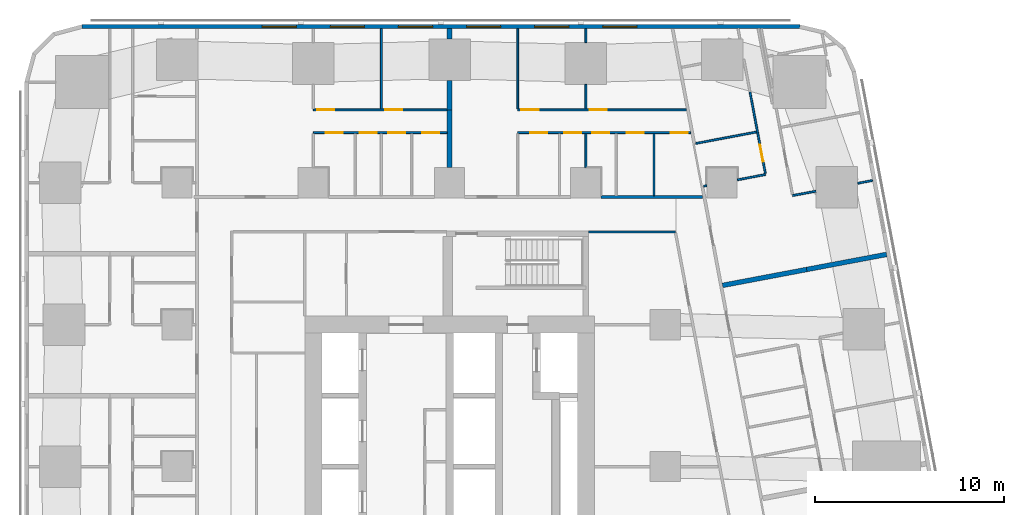
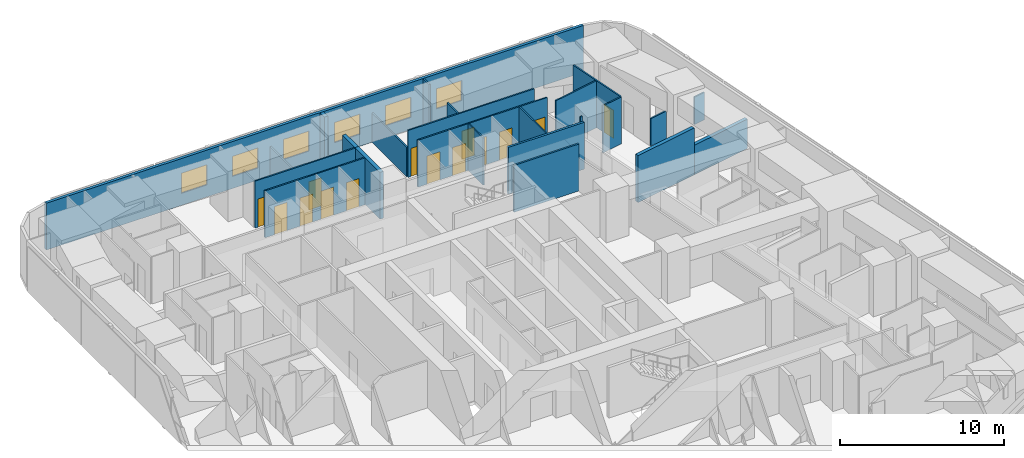
# One storey, part 9 of 15: 24 walls, 14 doors, 6 windows, 20 openings.
"""IFC4 building model written with IfcOpenShell, lengths in metres."""

from ifc_helpers import new_model, si_unit, direction, frame, frame_2d, origin, place, context, subcontext, project, spatial, rectangle, extrude, material, layer, layer_set, type_object, element, fill, save


model = new_model("IFC4")

# Units and contexts
model_context = context("Model", 3, precision=1e-05, world=origin(), true_north=direction((0.0, 1.0)))
body_context = subcontext(model_context, "Body", "Model", "MODEL_VIEW")
ifc_project = project(units=[si_unit("LENGTHUNIT", "METRE"), si_unit("AREAUNIT", "SQUARE_METRE"), si_unit("VOLUMEUNIT", "CUBIC_METRE"), si_unit("PLANEANGLEUNIT", "RADIAN"), si_unit("MASSUNIT", "GRAM", prefix="KILO")], contexts=[model_context])

# Site, building, storey
site_placement = place(None, origin())
site = spatial("IfcSite", under=ifc_project, at=site_placement, CompositionType="ELEMENT")
building_placement = place(site_placement, origin())
building = spatial("IfcBuilding", under=site, at=building_placement, Name="Sheger Commons Tower", CompositionType="ELEMENT")
storey_placement = place(building_placement, frame((0.0, 0.0, 107.89990234375)))
storey = spatial("IfcBuildingStorey", under=building, at=storey_placement, Name="L27", CompositionType="ELEMENT", Elevation=107.89990234375)

# Walls
ifc_material_1 = material(Name="Hollow concrete block masonry, skimmed both sides", Category="masonry")
ifc_layer_1 = layer(ifc_material_1, 0.14990234375)
ifc_layer_set_1 = layer_set([ifc_layer_1], Name="CORRIDOR WALL 150")
wall_type_1 = type_object("IfcWallType", Name="CORRIDOR WALL 150", PredefinedType="SOLIDWALL", material=ifc_layer_set_1)
wall_1_placement = place(storey_placement, frame((29.60107421875, 36.75, 0.0), z_axis=(0.0, 0.0, 1.0), x_axis=(1.0, 0.0, 0.0)))
element("IfcWall", 1, at=wall_1_placement, inside=storey, type_object=wall_type_1, Name="Corridor wall L27", PredefinedType="SOLIDWALL", context=body_context, shape_type="SweptSolid", body=[
    extrude(rectangle(XDim=5.371826171875, YDim=0.14990234375, at=frame_2d((2.68603515625, 0.0))), origin(), (0.0, 0.0, 1.0), 3.5),
])
ifc_material_2 = material(Name="Dense concrete block masonry, plastered both sides (separating wall between flats)", Category="masonry")
ifc_layer_2 = layer(ifc_material_2, 0.25)
ifc_layer_set_2 = layer_set([ifc_layer_2], Name="DEMISING WALL 250")
wall_type_2 = type_object("IfcWallType", Name="DEMISING WALL 250", PredefinedType="SOLIDWALL", material=ifc_layer_set_2)
wall_2_placement = place(storey_placement, frame((44.693115234375, 33.712890625, 0.0), z_axis=(0.0, 0.0, 1.0), x_axis=(-0.982633535512, -0.185556823879, 0.0)))
element("IfcWall", 2, at=wall_2_placement, inside=storey, type_object=wall_type_2, Name="Demising wall L27", PredefinedType="SOLIDWALL", context=body_context, shape_type="SweptSolid", body=[
    extrude(rectangle(XDim=4.2998046875, YDim=0.25, at=frame_2d((2.14990234375, 0.0))), origin(), (0.0, 0.0, 1.0), 2.2001953125),
])
wall_3_placement = place(storey_placement, frame((40.468017578125, 32.9150390625, 0.0), z_axis=(0.0, 0.0, 1.0), x_axis=(-0.982612837616, -0.185666398014, 0.0)))
element("IfcWall", 3, at=wall_3_placement, inside=storey, type_object=wall_type_2, Name="Demising wall L27", PredefinedType="SOLIDWALL", context=body_context, shape_type="SweptSolid", body=[
    extrude(rectangle(XDim=4.524658203125, YDim=0.25, at=frame_2d((2.26220703125, 0.0))), origin(), (0.0, 0.0, 1.0), 3.5),
])
wall_4_placement = place(storey_placement, frame((21.60009765625, 41.35009765625, 0.0), z_axis=(0.0, 0.0, 1.0), x_axis=(0.0, 1.0, 0.0)))
element("IfcWall", 4, at=wall_4_placement, inside=storey, type_object=wall_type_2, Name="Demising wall L27", PredefinedType="SOLIDWALL", context=body_context, shape_type="SweptSolid", body=[
    extrude(rectangle(XDim=1.548828125, YDim=0.25, at=frame_2d((0.7744140625, 0.0))), origin(), (0.0, 0.0, 1.0), 3.5),
])
wall_5_placement = place(storey_placement, frame((21.60009765625, 45.10107421875, 0.0), z_axis=(0.0, 0.0, 1.0), x_axis=(0.0, 1.0, 0.0)))
element("IfcWall", 5, at=wall_5_placement, inside=storey, type_object=wall_type_2, Name="Demising wall L27", PredefinedType="SOLIDWALL", context=body_context, shape_type="SweptSolid", body=[
    extrude(rectangle(XDim=0.548828125, YDim=0.25, at=frame_2d((0.2744140625, 0.0))), origin(), (0.0, 0.0, 1.0), 3.5),
])
wall_6_placement = place(storey_placement, frame((21.60009765625, 38.301025390625, 0.0), z_axis=(0.0, 0.0, 1.0), x_axis=(0.0, 1.0, 0.0)))
element("IfcWall", 6, at=wall_6_placement, inside=storey, type_object=wall_type_2, Name="Demising wall L27", PredefinedType="SOLIDWALL", context=body_context, shape_type="SweptSolid", body=[
    extrude(rectangle(XDim=3.049072265625, YDim=0.25, at=frame_2d((1.5244140625, 0.0))), origin(), (0.0, 0.0, 1.0), 3.5),
])

# Wall, openings, windows
ifc_material_3 = material(Name="Rendered concrete block masonry, dark grey", Category="masonry")
ifc_layer_3 = layer(ifc_material_3, 0.199951171875)
ifc_layer_set_3 = layer_set([ifc_layer_3], Name="FACADE WALL 200")
wall_type_3 = type_object("IfcWallType", Name="FACADE WALL 200", PredefinedType="SOLIDWALL", material=ifc_layer_set_3)
wall_7_placement = place(storey_placement, frame((40.10595703125, 45.75, 0.0), z_axis=(0.0, 0.0, 1.0), x_axis=(-1.0, 0.0, 0.0)))
wall_7 = element("IfcWall", 7, at=wall_7_placement, inside=storey, type_object=wall_type_3, Name="Facade wall L27", PredefinedType="SOLIDWALL", context=body_context, shape_type="SweptSolid", body=[
    extrude(rectangle(XDim=37.94287109375, YDim=0.199951171875, at=frame_2d((18.971435546875, 0.0))), origin(), (0.0, 0.0, 1.0), 3.5),
])
opening_1_placement = place(wall_7_placement, frame((8.60595703125, 0.0, 0.89990234375)))
opening_1 = element("IfcOpeningElement", 8, at=opening_1_placement, cuts=wall_7, Name="Opening W2", PredefinedType="OPENING", context=body_context, shape_type="SweptSolid", body=[
    extrude(rectangle(XDim=1.800048828125, YDim=1.5, at=frame_2d((0.89990234375, 0.75))), frame((0.0, 0.10986328125, 0.0), z_axis=(0.0, -1.0, 0.0), x_axis=(1.0, 0.0, 0.0)), (0.0, 0.0, 1.0), 0.219970703125),
])
opening_2_placement = place(wall_7_placement, frame((12.2060546875, 0.0, 0.89990234375)))
opening_2 = element("IfcOpeningElement", 9, at=opening_2_placement, cuts=wall_7, Name="Opening W2", PredefinedType="OPENING", context=body_context, shape_type="SweptSolid", body=[
    extrude(rectangle(XDim=1.800048828125, YDim=1.5, at=frame_2d((0.89990234375, 0.75))), frame((0.0, 0.10986328125, 0.0), z_axis=(0.0, -1.0, 0.0), x_axis=(1.0, 0.0, 0.0)), (0.0, 0.0, 1.0), 0.219970703125),
])
opening_3_placement = place(wall_7_placement, frame((15.805908203125, 0.0, 0.89990234375)))
opening_3 = element("IfcOpeningElement", 10, at=opening_3_placement, cuts=wall_7, Name="Opening W2", PredefinedType="OPENING", context=body_context, shape_type="SweptSolid", body=[
    extrude(rectangle(XDim=1.800048828125, YDim=1.5, at=frame_2d((0.89990234375, 0.75))), frame((0.0, 0.10986328125, 0.0), z_axis=(0.0, -1.0, 0.0), x_axis=(1.0, 0.0, 0.0)), (0.0, 0.0, 1.0), 0.219970703125),
])
opening_4_placement = place(wall_7_placement, frame((19.406005859375, 0.0, 0.89990234375)))
opening_4 = element("IfcOpeningElement", 11, at=opening_4_placement, cuts=wall_7, Name="Opening W2", PredefinedType="OPENING", context=body_context, shape_type="SweptSolid", body=[
    extrude(rectangle(XDim=1.800048828125, YDim=1.5, at=frame_2d((0.89990234375, 0.75))), frame((0.0, 0.10986328125, 0.0), z_axis=(0.0, -1.0, 0.0), x_axis=(1.0, 0.0, 0.0)), (0.0, 0.0, 1.0), 0.219970703125),
])
opening_5_placement = place(wall_7_placement, frame((23.006103515625, 0.0, 0.89990234375)))
opening_5 = element("IfcOpeningElement", 12, at=opening_5_placement, cuts=wall_7, Name="Opening W2", PredefinedType="OPENING", context=body_context, shape_type="SweptSolid", body=[
    extrude(rectangle(XDim=1.800048828125, YDim=1.5, at=frame_2d((0.89990234375, 0.75))), frame((0.0, 0.10986328125, 0.0), z_axis=(0.0, -1.0, 0.0), x_axis=(1.0, 0.0, 0.0)), (0.0, 0.0, 1.0), 0.219970703125),
])
opening_6_placement = place(wall_7_placement, frame((26.60595703125, 0.0, 0.89990234375)))
opening_6 = element("IfcOpeningElement", 13, at=opening_6_placement, cuts=wall_7, Name="Opening W2", PredefinedType="OPENING", context=body_context, shape_type="SweptSolid", body=[
    extrude(rectangle(XDim=1.800048828125, YDim=1.5, at=frame_2d((0.89990234375, 0.75))), frame((0.0, 0.10986328125, 0.0), z_axis=(0.0, -1.0, 0.0), x_axis=(1.0, 0.0, 0.0)), (0.0, 0.0, 1.0), 0.219970703125),
])
ifc_material_4 = material(Name="Black aluminium frame, dark tinted double glazing", Category="aluminium")
window_type = type_object("IfcWindowType", Name="WINDOW W2 1800x1500", PartitioningType="SINGLE_PANEL", PredefinedType="WINDOW", material=ifc_material_4)
window_1_placement = place(opening_1_placement, origin())
window_1 = element("IfcWindow", 14, at=window_1_placement, inside=storey, type_object=window_type, Name="Window W2 1800X1500", OverallHeight=1.5, OverallWidth=1.800048828125, PartitioningType="SINGLE_PANEL", PredefinedType="WINDOW", context=body_context, shape_type="SweptSolid", body=[
    extrude(rectangle(XDim=1.800048828125, YDim=1.5, at=frame_2d((0.89990234375, 0.75))), frame((0.0, 0.030029296875, 0.0), z_axis=(0.0, -1.0, 0.0), x_axis=(1.0, 0.0, 0.0)), (0.0, 0.0, 1.0), 0.06005859375),
])
fill(opening_1, window_1)
window_2_placement = place(opening_2_placement, origin())
window_2 = element("IfcWindow", 15, at=window_2_placement, inside=storey, type_object=window_type, Name="Window W2 1800X1500", OverallHeight=1.5, OverallWidth=1.800048828125, PartitioningType="SINGLE_PANEL", PredefinedType="WINDOW", context=body_context, shape_type="SweptSolid", body=[
    extrude(rectangle(XDim=1.800048828125, YDim=1.5, at=frame_2d((0.89990234375, 0.75))), frame((0.0, 0.030029296875, 0.0), z_axis=(0.0, -1.0, 0.0), x_axis=(1.0, 0.0, 0.0)), (0.0, 0.0, 1.0), 0.06005859375),
])
fill(opening_2, window_2)
window_3_placement = place(opening_3_placement, origin())
window_3 = element("IfcWindow", 16, at=window_3_placement, inside=storey, type_object=window_type, Name="Window W2 1800X1500", OverallHeight=1.5, OverallWidth=1.800048828125, PartitioningType="SINGLE_PANEL", PredefinedType="WINDOW", context=body_context, shape_type="SweptSolid", body=[
    extrude(rectangle(XDim=1.800048828125, YDim=1.5, at=frame_2d((0.89990234375, 0.75))), frame((0.0, 0.030029296875, 0.0), z_axis=(0.0, -1.0, 0.0), x_axis=(1.0, 0.0, 0.0)), (0.0, 0.0, 1.0), 0.06005859375),
])
fill(opening_3, window_3)
window_4_placement = place(opening_4_placement, origin())
window_4 = element("IfcWindow", 17, at=window_4_placement, inside=storey, type_object=window_type, Name="Window W2 1800X1500", OverallHeight=1.5, OverallWidth=1.800048828125, PartitioningType="SINGLE_PANEL", PredefinedType="WINDOW", context=body_context, shape_type="SweptSolid", body=[
    extrude(rectangle(XDim=1.800048828125, YDim=1.5, at=frame_2d((0.89990234375, 0.75))), frame((0.0, 0.030029296875, 0.0), z_axis=(0.0, -1.0, 0.0), x_axis=(1.0, 0.0, 0.0)), (0.0, 0.0, 1.0), 0.06005859375),
])
fill(opening_4, window_4)
window_5_placement = place(opening_5_placement, origin())
window_5 = element("IfcWindow", 18, at=window_5_placement, inside=storey, type_object=window_type, Name="Window W2 1800X1500", OverallHeight=1.5, OverallWidth=1.800048828125, PartitioningType="SINGLE_PANEL", PredefinedType="WINDOW", context=body_context, shape_type="SweptSolid", body=[
    extrude(rectangle(XDim=1.800048828125, YDim=1.5, at=frame_2d((0.89990234375, 0.75))), frame((0.0, 0.030029296875, 0.0), z_axis=(0.0, -1.0, 0.0), x_axis=(1.0, 0.0, 0.0)), (0.0, 0.0, 1.0), 0.06005859375),
])
fill(opening_5, window_5)
window_6_placement = place(opening_6_placement, origin())
window_6 = element("IfcWindow", 19, at=window_6_placement, inside=storey, type_object=window_type, Name="Window W2 1800X1500", OverallHeight=1.5, OverallWidth=1.800048828125, PartitioningType="SINGLE_PANEL", PredefinedType="WINDOW", context=body_context, shape_type="SweptSolid", body=[
    extrude(rectangle(XDim=1.800048828125, YDim=1.5, at=frame_2d((0.89990234375, 0.75))), frame((0.0, 0.030029296875, 0.0), z_axis=(0.0, -1.0, 0.0), x_axis=(1.0, 0.0, 0.0)), (0.0, 0.0, 1.0), 0.06005859375),
])
fill(opening_6, window_6)

# Wall, opening, door
ifc_material_5 = material(Name="Gypsum board on steel studs", Category="steel")
ifc_layer_4 = layer(ifc_material_5, 0.10009765625)
ifc_layer_set_4 = layer_set([ifc_layer_4], Name="PARTITION 100")
wall_type_4 = type_object("IfcWallType", Name="PARTITION 100", PredefinedType="PARTITIONING", material=ifc_layer_set_4)
wall_8_placement = place(storey_placement, frame((37.471923828125, 42.30908203125, 0.0), z_axis=(0.0, 0.0, 1.0), x_axis=(0.185641287362, -0.982617581985, 0.0)))
wall_8 = element("IfcWall", 20, at=wall_8_placement, inside=storey, type_object=wall_type_4, Name="Partition L27", PredefinedType="PARTITIONING", context=body_context, shape_type="SweptSolid", body=[
    extrude(rectangle(XDim=4.401611328125, YDim=0.10009765625, at=frame_2d((2.20068359375, 0.0))), origin(), (0.0, 0.0, 1.0), 3.5),
])
opening_7_placement = place(wall_8_placement, frame((2.85400390625, 0.0, 0.0)))
opening_7 = element("IfcOpeningElement", 21, at=opening_7_placement, cuts=wall_8, Name="Opening D2", PredefinedType="OPENING", context=body_context, shape_type="SweptSolid", body=[
    extrude(rectangle(XDim=0.89990234375, YDim=2.10009765625, at=frame_2d((0.449951171875, 1.050048828125))), frame((0.0, 0.06005859375, 0.0), z_axis=(0.0, -1.0, 0.0), x_axis=(1.0, 0.0, 0.0)), (0.0, 0.0, 1.0), 0.1201171875),
])
ifc_material_6 = material(Name="Timber door set", Category="wood")
door_type = type_object("IfcDoorType", Name="INTERNAL DOOR 900x2100", OperationType="NOTDEFINED", PredefinedType="DOOR", material=ifc_material_6)
door_1_placement = place(opening_7_placement, origin())
door_1 = element("IfcDoor", 22, at=door_1_placement, inside=storey, type_object=door_type, Name="Bathroom door", OperationType="SINGLE_SWING_LEFT", OverallHeight=2.10009765625, OverallWidth=0.89990234375, PredefinedType="DOOR", context=body_context, shape_type="SweptSolid", body=[
    extrude(rectangle(XDim=0.89990234375, YDim=2.10009765625, at=frame_2d((0.449951171875, 1.050048828125))), frame((0.0, 0.02490234375, 0.0), z_axis=(0.0, -1.0, 0.0), x_axis=(1.0, 0.0, 0.0)), (0.0, 0.0, 1.0), 0.050048828125),
])
fill(opening_7, door_1)

# Walls
wall_9_placement = place(storey_placement, frame((43.955078125, 37.6201171875, 0.0), z_axis=(0.0, 0.0, 1.0), x_axis=(-0.98247004097, -0.186420542316, 0.0)))
element("IfcWall", 23, at=wall_9_placement, inside=storey, type_object=wall_type_4, Name="Partition L27", PredefinedType="PARTITIONING", context=body_context, shape_type="SweptSolid", body=[
    extrude(rectangle(XDim=0.794921875, YDim=0.10009765625, at=frame_2d((0.3974609375, 0.0))), origin(), (0.0, 0.0, 1.0), 2.050048828125),
])
wall_10_placement = place(storey_placement, frame((40.9541015625, 37.052978515625, 0.0), z_axis=(0.0, 0.0, 1.0), x_axis=(-0.982663001154, -0.185400717808, 0.0)))
element("IfcWall", 24, at=wall_10_placement, inside=storey, type_object=wall_type_4, Name="Partition L27", PredefinedType="PARTITIONING", context=body_context, shape_type="SweptSolid", body=[
    extrude(rectangle(XDim=1.24560546875, YDim=0.10009765625, at=frame_2d((0.622802734375, 0.0))), origin(), (0.0, 0.0, 1.0), 2.050048828125),
])
wall_11_placement = place(storey_placement, frame((37.822998046875, 40.181884765625, 0.0), z_axis=(0.0, 0.0, 1.0), x_axis=(-0.982664729897, -0.18539155487, 0.0)))
element("IfcWall", 25, at=wall_11_placement, inside=storey, type_object=wall_type_4, Name="Partition L27", PredefinedType="PARTITIONING", context=body_context, shape_type="SweptSolid", body=[
    extrude(rectangle(XDim=3.273681640625, YDim=0.10009765625, at=frame_2d((1.63671875, 0.0))), origin(), (0.0, 0.0, 1.0), 3.5),
])
wall_12_placement = place(storey_placement, frame((38.299072265625, 37.93505859375, 0.0), z_axis=(0.0, 0.0, 1.0), x_axis=(-0.982536828695, -0.186068213993, 0.0)))
element("IfcWall", 26, at=wall_12_placement, inside=storey, type_object=wall_type_4, Name="Partition L27", PredefinedType="PARTITIONING", context=body_context, shape_type="SweptSolid", body=[
    extrude(rectangle(XDim=1.515380859375, YDim=0.10009765625, at=frame_2d((0.7578125, 0.0))), origin(), (0.0, 0.0, 1.0), 3.5),
])
wall_13_placement = place(storey_placement, frame((35.18994140625, 37.346923828125, 0.0), z_axis=(0.0, 0.0, 1.0), x_axis=(-0.982404955251, -0.186763229514, 0.0)))
element("IfcWall", 27, at=wall_13_placement, inside=storey, type_object=wall_type_4, Name="Partition L27", PredefinedType="PARTITIONING", context=body_context, shape_type="SweptSolid", body=[
    extrude(rectangle(XDim=0.160888671875, YDim=0.10009765625, at=frame_2d((0.08056640625, 0.0))), origin(), (0.0, 0.0, 1.0), 3.5),
])

# Wall, openings, doors
wall_14_placement = place(storey_placement, frame((14.39990234375, 41.35009765625, 0.0), z_axis=(0.0, 0.0, 1.0), x_axis=(1.0, 0.0, 0.0)))
wall_14 = element("IfcWall", 28, at=wall_14_placement, inside=storey, type_object=wall_type_4, Name="Partition L27", PredefinedType="PARTITIONING", context=body_context, shape_type="SweptSolid", body=[
    extrude(rectangle(XDim=7.0751953125, YDim=0.10009765625, at=frame_2d((3.53759765625, 0.0))), origin(), (0.0, 0.0, 1.0), 3.5),
])
opening_8_placement = place(wall_14_placement, frame((0.199951171875, 0.0, 0.0)))
opening_8 = element("IfcOpeningElement", 29, at=opening_8_placement, cuts=wall_14, Name="Opening D2", PredefinedType="OPENING", context=body_context, shape_type="SweptSolid", body=[
    extrude(rectangle(XDim=0.89990234375, YDim=2.10009765625, at=frame_2d((0.449951171875, 1.050048828125))), frame((0.0, 0.06005859375, 0.0), z_axis=(0.0, -1.0, 0.0), x_axis=(1.0, 0.0, 0.0)), (0.0, 0.0, 1.0), 0.1201171875),
])
opening_9_placement = place(wall_14_placement, frame((3.800048828125, 0.0, 0.0)))
opening_9 = element("IfcOpeningElement", 30, at=opening_9_placement, cuts=wall_14, Name="Opening D2", PredefinedType="OPENING", context=body_context, shape_type="SweptSolid", body=[
    extrude(rectangle(XDim=0.89990234375, YDim=2.10009765625, at=frame_2d((0.449951171875, 1.050048828125))), frame((0.0, 0.06005859375, 0.0), z_axis=(0.0, -1.0, 0.0), x_axis=(1.0, 0.0, 0.0)), (0.0, 0.0, 1.0), 0.1201171875),
])
door_2_placement = place(opening_8_placement, origin())
door_2 = element("IfcDoor", 31, at=door_2_placement, inside=storey, type_object=door_type, Name="Main bedroom door", OperationType="SINGLE_SWING_LEFT", OverallHeight=2.10009765625, OverallWidth=0.89990234375, PredefinedType="DOOR", context=body_context, shape_type="SweptSolid", body=[
    extrude(rectangle(XDim=0.89990234375, YDim=2.10009765625, at=frame_2d((0.449951171875, 1.050048828125))), frame((0.0, 0.02490234375, 0.0), z_axis=(0.0, -1.0, 0.0), x_axis=(1.0, 0.0, 0.0)), (0.0, 0.0, 1.0), 0.050048828125),
])
fill(opening_8, door_2)
door_3_placement = place(opening_9_placement, origin())
door_3 = element("IfcDoor", 32, at=door_3_placement, inside=storey, type_object=door_type, Name="Bedroom 2 door", OperationType="SINGLE_SWING_LEFT", OverallHeight=2.10009765625, OverallWidth=0.89990234375, PredefinedType="DOOR", context=body_context, shape_type="SweptSolid", body=[
    extrude(rectangle(XDim=0.89990234375, YDim=2.10009765625, at=frame_2d((0.449951171875, 1.050048828125))), frame((0.0, 0.02490234375, 0.0), z_axis=(0.0, -1.0, 0.0), x_axis=(1.0, 0.0, 0.0)), (0.0, 0.0, 1.0), 0.050048828125),
])
fill(opening_9, door_3)

wall_15_placement = place(storey_placement, frame((14.39990234375, 40.14990234375, 0.0), z_axis=(0.0, 0.0, 1.0), x_axis=(1.0, 0.0, 0.0)))
wall_15 = element("IfcWall", 33, at=wall_15_placement, inside=storey, type_object=wall_type_4, Name="Partition L27", PredefinedType="PARTITIONING", context=body_context, shape_type="SweptSolid", body=[
    extrude(rectangle(XDim=7.0751953125, YDim=0.10009765625, at=frame_2d((3.53759765625, 0.0))), origin(), (0.0, 0.0, 1.0), 3.5),
])
opening_10_placement = place(wall_15_placement, frame((0.655029296875, 0.0, 0.0)))
opening_10 = element("IfcOpeningElement", 34, at=opening_10_placement, cuts=wall_15, Name="Opening D2", PredefinedType="OPENING", context=body_context, shape_type="SweptSolid", body=[
    extrude(rectangle(XDim=0.89990234375, YDim=2.10009765625, at=frame_2d((0.449951171875, 1.050048828125))), frame((0.0, 0.06005859375, 0.0), z_axis=(0.0, -1.0, 0.0), x_axis=(1.0, 0.0, 0.0)), (0.0, 0.0, 1.0), 0.1201171875),
])
opening_11_placement = place(wall_15_placement, frame((3.949951171875, 0.0, 0.0)))
opening_11 = element("IfcOpeningElement", 35, at=opening_11_placement, cuts=wall_15, Name="Opening D2", PredefinedType="OPENING", context=body_context, shape_type="SweptSolid", body=[
    extrude(rectangle(XDim=0.89990234375, YDim=2.10009765625, at=frame_2d((0.449951171875, 1.050048828125))), frame((0.0, 0.06005859375, 0.0), z_axis=(0.0, -1.0, 0.0), x_axis=(1.0, 0.0, 0.0)), (0.0, 0.0, 1.0), 0.1201171875),
])
opening_12_placement = place(wall_15_placement, frame((2.455078125, 0.0, 0.0)))
opening_12 = element("IfcOpeningElement", 36, at=opening_12_placement, cuts=wall_15, Name="Opening D2", PredefinedType="OPENING", context=body_context, shape_type="SweptSolid", body=[
    extrude(rectangle(XDim=0.89990234375, YDim=2.10009765625, at=frame_2d((0.449951171875, 1.050048828125))), frame((0.0, 0.06005859375, 0.0), z_axis=(0.0, -1.0, 0.0), x_axis=(1.0, 0.0, 0.0)), (0.0, 0.0, 1.0), 0.1201171875),
])
opening_13_placement = place(wall_15_placement, frame((5.75, 0.0, 0.0)))
opening_13 = element("IfcOpeningElement", 37, at=opening_13_placement, cuts=wall_15, Name="Opening D2", PredefinedType="OPENING", context=body_context, shape_type="SweptSolid", body=[
    extrude(rectangle(XDim=0.89990234375, YDim=2.10009765625, at=frame_2d((0.449951171875, 1.050048828125))), frame((0.0, 0.06005859375, 0.0), z_axis=(0.0, -1.0, 0.0), x_axis=(1.0, 0.0, 0.0)), (0.0, 0.0, 1.0), 0.1201171875),
])
door_4_placement = place(opening_10_placement, origin())
door_4 = element("IfcDoor", 38, at=door_4_placement, inside=storey, type_object=door_type, Name="Bathroom door", OperationType="SINGLE_SWING_RIGHT", OverallHeight=2.10009765625, OverallWidth=0.89990234375, PredefinedType="DOOR", context=body_context, shape_type="SweptSolid", body=[
    extrude(rectangle(XDim=0.89990234375, YDim=2.10009765625, at=frame_2d((0.449951171875, 1.050048828125))), frame((0.0, 0.02490234375, 0.0), z_axis=(0.0, -1.0, 0.0), x_axis=(1.0, 0.0, 0.0)), (0.0, 0.0, 1.0), 0.050048828125),
])
fill(opening_10, door_4)
door_5_placement = place(opening_11_placement, origin())
door_5 = element("IfcDoor", 39, at=door_5_placement, inside=storey, type_object=door_type, Name="Shower room door", OperationType="SINGLE_SWING_RIGHT", OverallHeight=2.10009765625, OverallWidth=0.89990234375, PredefinedType="DOOR", context=body_context, shape_type="SweptSolid", body=[
    extrude(rectangle(XDim=0.89990234375, YDim=2.10009765625, at=frame_2d((0.449951171875, 1.050048828125))), frame((0.0, 0.02490234375, 0.0), z_axis=(0.0, -1.0, 0.0), x_axis=(1.0, 0.0, 0.0)), (0.0, 0.0, 1.0), 0.050048828125),
])
fill(opening_11, door_5)
door_6_placement = place(opening_12_placement, origin())
door_6 = element("IfcDoor", 40, at=door_6_placement, inside=storey, type_object=door_type, Name="Store door", OperationType="SINGLE_SWING_RIGHT", OverallHeight=2.10009765625, OverallWidth=0.89990234375, PredefinedType="DOOR", context=body_context, shape_type="SweptSolid", body=[
    extrude(rectangle(XDim=0.89990234375, YDim=2.10009765625, at=frame_2d((0.449951171875, 1.050048828125))), frame((0.0, 0.02490234375, 0.0), z_axis=(0.0, -1.0, 0.0), x_axis=(1.0, 0.0, 0.0)), (0.0, 0.0, 1.0), 0.050048828125),
])
fill(opening_12, door_6)
door_7_placement = place(opening_13_placement, origin())
door_7 = element("IfcDoor", 41, at=door_7_placement, inside=storey, type_object=door_type, Name="Store door", OperationType="SINGLE_SWING_LEFT", OverallHeight=2.10009765625, OverallWidth=0.89990234375, PredefinedType="DOOR", context=body_context, shape_type="SweptSolid", body=[
    extrude(rectangle(XDim=0.89990234375, YDim=2.10009765625, at=frame_2d((0.449951171875, 1.050048828125))), frame((0.0, 0.02490234375, 0.0), z_axis=(0.0, -1.0, 0.0), x_axis=(1.0, 0.0, 0.0)), (0.0, 0.0, 1.0), 0.050048828125),
])
fill(opening_13, door_7)

# Wall
wall_16_placement = place(storey_placement, frame((18.0, 41.39990234375, 0.0), z_axis=(0.0, 0.0, 1.0), x_axis=(0.0, 1.0, 0.0)))
element("IfcWall", 42, at=wall_16_placement, inside=storey, type_object=wall_type_4, Name="Partition L27", PredefinedType="PARTITIONING", context=body_context, shape_type="SweptSolid", body=[
    extrude(rectangle(XDim=4.25, YDim=0.10009765625, at=frame_2d((2.125, 0.0))), origin(), (0.0, 0.0, 1.0), 2.2001953125),
])

# Wall, openings, doors
wall_17_placement = place(storey_placement, frame((25.199951171875, 41.35009765625, 0.0), z_axis=(0.0, 0.0, 1.0), x_axis=(1.0, 0.0, 0.0)))
wall_17 = element("IfcWall", 43, at=wall_17_placement, inside=storey, type_object=wall_type_4, Name="Partition L27", PredefinedType="PARTITIONING", context=body_context, shape_type="SweptSolid", body=[
    extrude(rectangle(XDim=8.907958984375, YDim=0.10009765625, at=frame_2d((4.4541015625, 0.0))), origin(), (0.0, 0.0, 1.0), 3.5),
])
opening_14_placement = place(wall_17_placement, frame((0.199951171875, 0.0, 0.0)))
opening_14 = element("IfcOpeningElement", 44, at=opening_14_placement, cuts=wall_17, Name="Opening D2", PredefinedType="OPENING", context=body_context, shape_type="SweptSolid", body=[
    extrude(rectangle(XDim=0.89990234375, YDim=2.10009765625, at=frame_2d((0.449951171875, 1.050048828125))), frame((0.0, 0.06005859375, 0.0), z_axis=(0.0, -1.0, 0.0), x_axis=(1.0, 0.0, 0.0)), (0.0, 0.0, 1.0), 0.1201171875),
])
opening_15_placement = place(wall_17_placement, frame((3.800048828125, 0.0, 0.0)))
opening_15 = element("IfcOpeningElement", 45, at=opening_15_placement, cuts=wall_17, Name="Opening D2", PredefinedType="OPENING", context=body_context, shape_type="SweptSolid", body=[
    extrude(rectangle(XDim=0.89990234375, YDim=2.10009765625, at=frame_2d((0.449951171875, 1.050048828125))), frame((0.0, 0.06005859375, 0.0), z_axis=(0.0, -1.0, 0.0), x_axis=(1.0, 0.0, 0.0)), (0.0, 0.0, 1.0), 0.1201171875),
])
door_8_placement = place(opening_14_placement, origin())
door_8 = element("IfcDoor", 46, at=door_8_placement, inside=storey, type_object=door_type, Name="Main bedroom door", OperationType="SINGLE_SWING_LEFT", OverallHeight=2.10009765625, OverallWidth=0.89990234375, PredefinedType="DOOR", context=body_context, shape_type="SweptSolid", body=[
    extrude(rectangle(XDim=0.89990234375, YDim=2.10009765625, at=frame_2d((0.449951171875, 1.050048828125))), frame((0.0, 0.02490234375, 0.0), z_axis=(0.0, -1.0, 0.0), x_axis=(1.0, 0.0, 0.0)), (0.0, 0.0, 1.0), 0.050048828125),
])
fill(opening_14, door_8)
door_9_placement = place(opening_15_placement, origin())
door_9 = element("IfcDoor", 47, at=door_9_placement, inside=storey, type_object=door_type, Name="Bedroom 2 door", OperationType="SINGLE_SWING_RIGHT", OverallHeight=2.10009765625, OverallWidth=0.89990234375, PredefinedType="DOOR", context=body_context, shape_type="SweptSolid", body=[
    extrude(rectangle(XDim=0.89990234375, YDim=2.10009765625, at=frame_2d((0.449951171875, 1.050048828125))), frame((0.0, 0.02490234375, 0.0), z_axis=(0.0, -1.0, 0.0), x_axis=(1.0, 0.0, 0.0)), (0.0, 0.0, 1.0), 0.050048828125),
])
fill(opening_15, door_9)

wall_18_placement = place(storey_placement, frame((25.199951171875, 40.14990234375, 0.0), z_axis=(0.0, 0.0, 1.0), x_axis=(1.0, 0.0, 0.0)))
wall_18 = element("IfcWall", 48, at=wall_18_placement, inside=storey, type_object=wall_type_4, Name="Partition L27", PredefinedType="PARTITIONING", context=body_context, shape_type="SweptSolid", body=[
    extrude(rectangle(XDim=9.135009765625, YDim=0.10009765625, at=frame_2d((4.5673828125, 0.0))), origin(), (0.0, 0.0, 1.0), 3.5),
])
opening_16_placement = place(wall_18_placement, frame((0.655029296875, 0.0, 0.0)))
opening_16 = element("IfcOpeningElement", 49, at=opening_16_placement, cuts=wall_18, Name="Opening D2", PredefinedType="OPENING", context=body_context, shape_type="SweptSolid", body=[
    extrude(rectangle(XDim=0.89990234375, YDim=2.10009765625, at=frame_2d((0.449951171875, 1.050048828125))), frame((0.0, 0.06005859375, 0.0), z_axis=(0.0, -1.0, 0.0), x_axis=(1.0, 0.0, 0.0)), (0.0, 0.0, 1.0), 0.1201171875),
])
opening_17_placement = place(wall_18_placement, frame((3.949951171875, 0.0, 0.0)))
opening_17 = element("IfcOpeningElement", 50, at=opening_17_placement, cuts=wall_18, Name="Opening D2", PredefinedType="OPENING", context=body_context, shape_type="SweptSolid", body=[
    extrude(rectangle(XDim=0.89990234375, YDim=2.10009765625, at=frame_2d((0.449951171875, 1.050048828125))), frame((0.0, 0.06005859375, 0.0), z_axis=(0.0, -1.0, 0.0), x_axis=(1.0, 0.0, 0.0)), (0.0, 0.0, 1.0), 0.1201171875),
])
opening_18_placement = place(wall_18_placement, frame((8.0810546875, 0.0, 0.0)))
opening_18 = element("IfcOpeningElement", 51, at=opening_18_placement, cuts=wall_18, Name="Opening D2", PredefinedType="OPENING", context=body_context, shape_type="SweptSolid", body=[
    extrude(rectangle(XDim=0.89990234375, YDim=2.10009765625, at=frame_2d((0.449951171875, 1.050048828125))), frame((0.0, 0.06005859375, 0.0), z_axis=(0.0, -1.0, 0.0), x_axis=(1.0, 0.0, 0.0)), (0.0, 0.0, 1.0), 0.1201171875),
])
opening_19_placement = place(wall_18_placement, frame((2.455078125, 0.0, 0.0)))
opening_19 = element("IfcOpeningElement", 52, at=opening_19_placement, cuts=wall_18, Name="Opening D2", PredefinedType="OPENING", context=body_context, shape_type="SweptSolid", body=[
    extrude(rectangle(XDim=0.89990234375, YDim=2.10009765625, at=frame_2d((0.449951171875, 1.050048828125))), frame((0.0, 0.06005859375, 0.0), z_axis=(0.0, -1.0, 0.0), x_axis=(1.0, 0.0, 0.0)), (0.0, 0.0, 1.0), 0.1201171875),
])
opening_20_placement = place(wall_18_placement, frame((5.75, 0.0, 0.0)))
opening_20 = element("IfcOpeningElement", 53, at=opening_20_placement, cuts=wall_18, Name="Opening D2", PredefinedType="OPENING", context=body_context, shape_type="SweptSolid", body=[
    extrude(rectangle(XDim=0.89990234375, YDim=2.10009765625, at=frame_2d((0.449951171875, 1.050048828125))), frame((0.0, 0.06005859375, 0.0), z_axis=(0.0, -1.0, 0.0), x_axis=(1.0, 0.0, 0.0)), (0.0, 0.0, 1.0), 0.1201171875),
])
door_10_placement = place(opening_16_placement, origin())
door_10 = element("IfcDoor", 54, at=door_10_placement, inside=storey, type_object=door_type, Name="Bathroom door", OperationType="SINGLE_SWING_RIGHT", OverallHeight=2.10009765625, OverallWidth=0.89990234375, PredefinedType="DOOR", context=body_context, shape_type="SweptSolid", body=[
    extrude(rectangle(XDim=0.89990234375, YDim=2.10009765625, at=frame_2d((0.449951171875, 1.050048828125))), frame((0.0, 0.02490234375, 0.0), z_axis=(0.0, -1.0, 0.0), x_axis=(1.0, 0.0, 0.0)), (0.0, 0.0, 1.0), 0.050048828125),
])
fill(opening_16, door_10)
door_11_placement = place(opening_17_placement, origin())
door_11 = element("IfcDoor", 55, at=door_11_placement, inside=storey, type_object=door_type, Name="Shower room door", OperationType="SINGLE_SWING_LEFT", OverallHeight=2.10009765625, OverallWidth=0.89990234375, PredefinedType="DOOR", context=body_context, shape_type="SweptSolid", body=[
    extrude(rectangle(XDim=0.89990234375, YDim=2.10009765625, at=frame_2d((0.449951171875, 1.050048828125))), frame((0.0, 0.02490234375, 0.0), z_axis=(0.0, -1.0, 0.0), x_axis=(1.0, 0.0, 0.0)), (0.0, 0.0, 1.0), 0.050048828125),
])
fill(opening_17, door_11)
door_12_placement = place(opening_18_placement, origin())
door_12 = element("IfcDoor", 56, at=door_12_placement, inside=storey, type_object=door_type, Name="Laundry room door", OperationType="SINGLE_SWING_LEFT", OverallHeight=2.10009765625, OverallWidth=0.89990234375, PredefinedType="DOOR", context=body_context, shape_type="SweptSolid", body=[
    extrude(rectangle(XDim=0.89990234375, YDim=2.10009765625, at=frame_2d((0.449951171875, 1.050048828125))), frame((0.0, 0.02490234375, 0.0), z_axis=(0.0, -1.0, 0.0), x_axis=(1.0, 0.0, 0.0)), (0.0, 0.0, 1.0), 0.050048828125),
])
fill(opening_18, door_12)
door_13_placement = place(opening_19_placement, origin())
door_13 = element("IfcDoor", 57, at=door_13_placement, inside=storey, type_object=door_type, Name="Store door", OperationType="SINGLE_SWING_RIGHT", OverallHeight=2.10009765625, OverallWidth=0.89990234375, PredefinedType="DOOR", context=body_context, shape_type="SweptSolid", body=[
    extrude(rectangle(XDim=0.89990234375, YDim=2.10009765625, at=frame_2d((0.449951171875, 1.050048828125))), frame((0.0, 0.02490234375, 0.0), z_axis=(0.0, -1.0, 0.0), x_axis=(1.0, 0.0, 0.0)), (0.0, 0.0, 1.0), 0.050048828125),
])
fill(opening_19, door_13)
door_14_placement = place(opening_20_placement, origin())
door_14 = element("IfcDoor", 58, at=door_14_placement, inside=storey, type_object=door_type, Name="Store door", OperationType="SINGLE_SWING_RIGHT", OverallHeight=2.10009765625, OverallWidth=0.89990234375, PredefinedType="DOOR", context=body_context, shape_type="SweptSolid", body=[
    extrude(rectangle(XDim=0.89990234375, YDim=2.10009765625, at=frame_2d((0.449951171875, 1.050048828125))), frame((0.0, 0.02490234375, 0.0), z_axis=(0.0, -1.0, 0.0), x_axis=(1.0, 0.0, 0.0)), (0.0, 0.0, 1.0), 0.050048828125),
])
fill(opening_20, door_14)

# Walls
wall_19_placement = place(storey_placement, frame((25.199951171875, 41.39990234375, 0.0), z_axis=(0.0, 0.0, 1.0), x_axis=(0.0, 1.0, 0.0)))
element("IfcWall", 59, at=wall_19_placement, inside=storey, type_object=wall_type_4, Name="Partition L27", PredefinedType="PARTITIONING", context=body_context, shape_type="SweptSolid", body=[
    extrude(rectangle(XDim=4.25, YDim=0.10009765625, at=frame_2d((2.125, 0.0))), origin(), (0.0, 0.0, 1.0), 2.2001953125),
])
wall_20_placement = place(storey_placement, frame((28.800048828125, 41.39990234375, 0.0), z_axis=(0.0, 0.0, 1.0), x_axis=(0.0, 1.0, 0.0)))
element("IfcWall", 60, at=wall_20_placement, inside=storey, type_object=wall_type_4, Name="Partition L27", PredefinedType="PARTITIONING", context=body_context, shape_type="SweptSolid", body=[
    extrude(rectangle(XDim=1.299072265625, YDim=0.10009765625, at=frame_2d((0.6494140625, 0.0))), origin(), (0.0, 0.0, 1.0), 3.5),
])
wall_21_placement = place(storey_placement, frame((28.800048828125, 44.90087890625, 0.0), z_axis=(0.0, 0.0, 1.0), x_axis=(0.0, 1.0, 0.0)))
element("IfcWall", 61, at=wall_21_placement, inside=storey, type_object=wall_type_4, Name="Partition L27", PredefinedType="PARTITIONING", context=body_context, shape_type="SweptSolid", body=[
    extrude(rectangle(XDim=0.7490234375, YDim=0.10009765625, at=frame_2d((0.37451171875, 0.0))), origin(), (0.0, 0.0, 1.0), 3.5),
])
wall_22_placement = place(storey_placement, frame((28.800048828125, 38.301025390625, 0.0), z_axis=(0.0, 0.0, 1.0), x_axis=(0.0, 1.0, 0.0)))
element("IfcWall", 62, at=wall_22_placement, inside=storey, type_object=wall_type_4, Name="Partition L27", PredefinedType="PARTITIONING", context=body_context, shape_type="SweptSolid", body=[
    extrude(rectangle(XDim=1.799072265625, YDim=0.10009765625, at=frame_2d((0.8994140625, 0.0))), origin(), (0.0, 0.0, 1.0), 3.5),
])
wall_23_placement = place(storey_placement, frame((32.39990234375, 36.824951171875, 0.0), z_axis=(0.0, 0.0, 1.0), x_axis=(0.0, 1.0, 0.0)))
element("IfcWall", 63, at=wall_23_placement, inside=storey, type_object=wall_type_4, Name="Partition L27", PredefinedType="PARTITIONING", context=body_context, shape_type="SweptSolid", body=[
    extrude(rectangle(XDim=3.275146484375, YDim=0.10009765625, at=frame_2d((1.6376953125, 0.0))), origin(), (0.0, 0.0, 1.0), 3.5),
])
ifc_material_7 = material(Name="Gypsum board on steel studs, two layers each side, fire rated", Category="steel")
ifc_layer_5 = layer(ifc_material_7, 0.125)
ifc_layer_set_5 = layer_set([ifc_layer_5], Name="SERVICE WALL 125")
wall_type_5 = type_object("IfcWallType", Name="SERVICE WALL 125", PredefinedType="PARTITIONING", material=ifc_layer_set_5)
wall_24_placement = place(storey_placement, frame((28.949951171875, 34.89990234375, 0.0), z_axis=(0.0, 0.0, 1.0), x_axis=(1.0, 0.0, 0.0)))
element("IfcWall", 64, at=wall_24_placement, inside=storey, type_object=wall_type_5, Name="Service room wall L27", PredefinedType="PARTITIONING", context=body_context, shape_type="SweptSolid", body=[
    extrude(rectangle(XDim=4.588134765625, YDim=0.125, at=frame_2d((2.2939453125, 0.0))), origin(), (0.0, 0.0, 1.0), 3.5),
])

save(model, "model.ifc")
